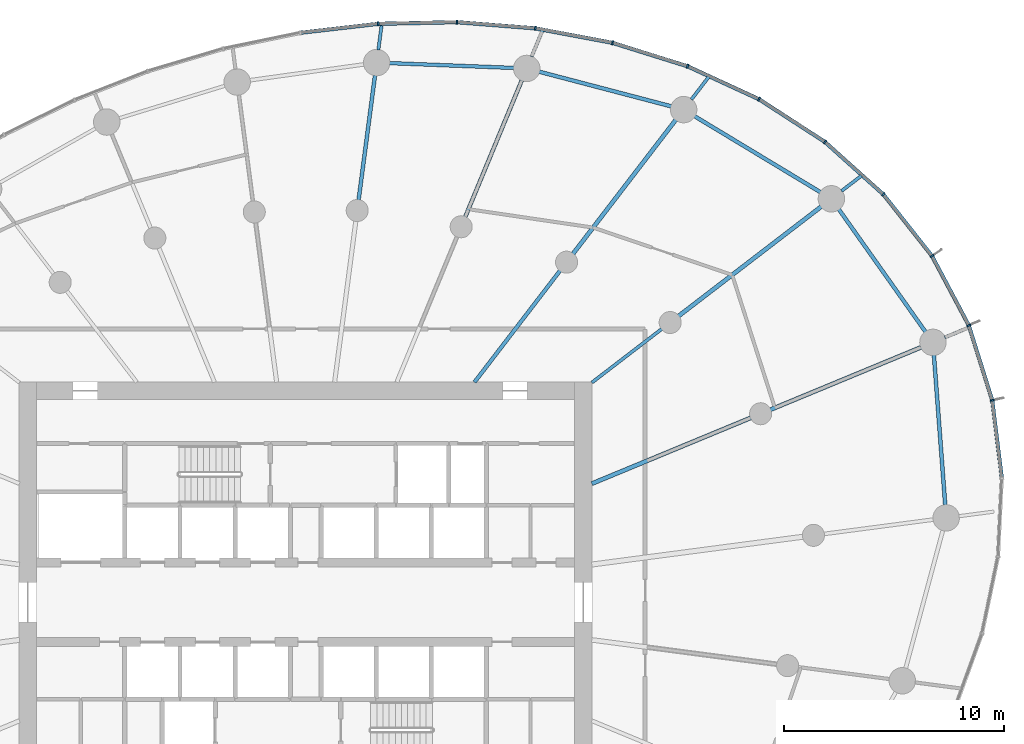
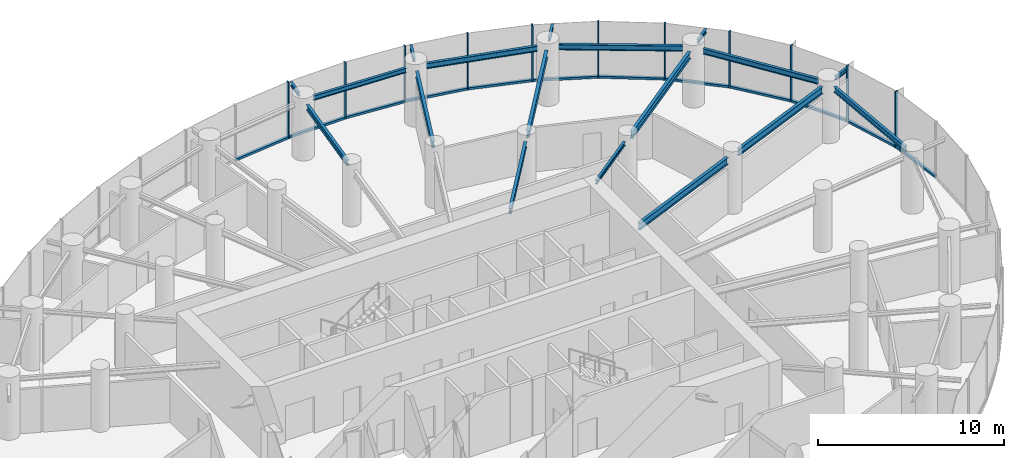
# One storey, part 7 of 17: 23 members, 18 beams, 3 elements without a shape of their own.
"""IFC4 building model written with IfcOpenShell, lengths in metres."""

from ifc_helpers import new_model, si_unit, direction, frame, origin, origin_2d, place, context, subcontext, project, spatial, rectangle, i_section, extrude, source, transform, mapped, material, layer, layer_set, material_profile, profile_set, type_object, element, aggregate, save


model = new_model("IFC4")

# Units and contexts
model_context = context("Model", 3, precision=1e-05, world=origin(), true_north=direction((0.0, 1.0)))
body_context = subcontext(model_context, "Body", "Model", "MODEL_VIEW")
ifc_project = project(units=[si_unit("LENGTHUNIT", "METRE"), si_unit("AREAUNIT", "SQUARE_METRE"), si_unit("VOLUMEUNIT", "CUBIC_METRE"), si_unit("PLANEANGLEUNIT", "RADIAN"), si_unit("MASSUNIT", "GRAM", prefix="KILO")], contexts=[model_context])

# Site, building, storey
site_placement = place(None, origin())
site = spatial("IfcSite", under=ifc_project, at=site_placement, CompositionType="ELEMENT")
building_placement = place(site_placement, origin())
building = spatial("IfcBuilding", under=site, at=building_placement, Name="Spindrift Exchange Tower", CompositionType="ELEMENT")
storey_placement = place(building_placement, frame((0.0, 0.0, 88.0)))
storey = spatial("IfcBuildingStorey", under=building, at=storey_placement, Name="L20", CompositionType="ELEMENT", Elevation=88.0)

# Beams
ifc_material_1 = material(Name="Steel Grade 300", Category="steel")
ifc_material_profile_1 = material_profile(ifc_material_1, i_section(OverallWidth=0.18994140625, OverallDepth=0.45703125, WebThickness=0.009033203125, FlangeThickness=0.014404296875, FilletRadius=0.013916015625, at=origin_2d()), Name="460UB74.6")
ifc_profile_set_1 = profile_set([ifc_material_profile_1], Name="Steel Grade 300")
beam_type_1 = type_object("IfcBeamType", Name="Floor Beam 460UB74.6 Steel Grade 300", PredefinedType="BEAM", material=ifc_profile_set_1)
shared_shape_1 = source(origin(), body_context, "Body", "SweptSolid", [
    extrude(i_section(OverallWidth=0.18994140625, OverallDepth=0.45703125, WebThickness=0.009033203125, FlangeThickness=0.014404296875, FilletRadius=0.013916015625, at=origin_2d()), origin(), (0.0, 0.0, 1.0), 7.808837890625),
])
beam_1_placement = place(storey_placement, frame((64.9814453125, 53.377197265625, 3.471435546875), z_axis=(0.92387965154, 0.382683145003, 0.0), x_axis=(-0.382683145003, 0.92387965154, 0.0)))
element("IfcBeam", 1, at=beam_1_placement, inside=storey, type_object=beam_type_1, Name="L20 radial beam R02A", PredefinedType="BEAM", context=body_context, shape_type="MappedRepresentation", body=[
    mapped(shared_shape_1, transform((0.0, 0.0, 0.0), scale=1.0)),
])
ifc_material_profile_2 = material_profile(ifc_material_1, i_section(OverallWidth=0.14599609375, OverallDepth=0.251953125, WebThickness=0.006103515625, FlangeThickness=0.008544921875, FilletRadius=0.011962890625, at=origin_2d()), Name="250UB31.4")
ifc_profile_set_2 = profile_set([ifc_material_profile_2], Name="Steel Grade 300")
beam_type_2 = type_object("IfcBeamType", Name="Floor Beam 250UB31.4 Steel Grade 300", PredefinedType="BEAM", material=ifc_profile_set_2)
shared_shape_2 = source(origin(), body_context, "Body", "SweptSolid", [
    extrude(i_section(OverallWidth=0.14599609375, OverallDepth=0.251953125, WebThickness=0.006103515625, FlangeThickness=0.008544921875, FilletRadius=0.011962890625, at=origin_2d()), origin(), (0.0, 0.0, 1.0), 3.99560546875),
])
beam_2_placement = place(storey_placement, frame((64.984130859375, 57.963134765625, 3.573974609375), z_axis=(0.793352561574, 0.608762443851, 0.0), x_axis=(-0.608762443851, 0.793352561574, 0.0)))
element("IfcBeam", 2, at=beam_2_placement, inside=storey, type_object=beam_type_2, Name="L20 radial beam R03A", PredefinedType="BEAM", context=body_context, shape_type="MappedRepresentation", body=[
    mapped(shared_shape_2, transform((0.0, 0.0, 0.0), scale=1.0)),
])
ifc_material_profile_3 = material_profile(ifc_material_1, i_section(OverallWidth=0.172119140625, OverallDepth=0.35888671875, WebThickness=0.008056640625, FlangeThickness=0.012939453125, FilletRadius=0.013916015625, at=origin_2d()), Name="360UB56.7")
ifc_profile_set_3 = profile_set([ifc_material_profile_3], Name="Steel Grade 300")
beam_type_3 = type_object("IfcBeamType", Name="Floor Beam 360UB56.7 Steel Grade 300", PredefinedType="BEAM", material=ifc_profile_set_3)
shared_shape_3 = source(origin(), body_context, "Body", "SweptSolid", [
    extrude(i_section(OverallWidth=0.172119140625, OverallDepth=0.35888671875, WebThickness=0.008056640625, FlangeThickness=0.012939453125, FilletRadius=0.013916015625, at=origin_2d()), origin(), (0.0, 0.0, 1.0), 6.37646484375),
])
beam_3_placement = place(storey_placement, frame((59.6611328125, 57.984130859375, 3.5205078125), z_axis=(0.608766669952, 0.793349318747, 0.0), x_axis=(-0.793349318747, 0.608766669952, 0.0)))
element("IfcBeam", 3, at=beam_3_placement, inside=storey, type_object=beam_type_3, Name="L20 radial beam R04A", PredefinedType="BEAM", context=body_context, shape_type="MappedRepresentation", body=[
    mapped(shared_shape_3, transform((0.0, 0.0, 0.0), scale=1.0)),
])
shared_shape_4 = source(origin(), body_context, "Body", "SweptSolid", [
    extrude(i_section(OverallWidth=0.18994140625, OverallDepth=0.45703125, WebThickness=0.009033203125, FlangeThickness=0.014404296875, FilletRadius=0.013916015625, at=origin_2d()), origin(), (0.0, 0.0, 1.0), 7.400146484375),
])
beam_4_placement = place(storey_placement, frame((73.082763671875, 56.73291015625, 3.471435546875), z_axis=(0.923886957755, 0.382665505749, 0.0), x_axis=(-0.382665505749, 0.923886957755, 0.0)))
element("IfcBeam", 4, at=beam_4_placement, inside=storey, type_object=beam_type_1, Name="L20 radial beam R02B", PredefinedType="BEAM", context=body_context, shape_type="MappedRepresentation", body=[
    mapped(shared_shape_4, transform((0.0, 0.0, 0.0), scale=1.0)),
])
shared_shape_5 = source(origin(), body_context, "Body", "SweptSolid", [
    extrude(i_section(OverallWidth=0.18994140625, OverallDepth=0.45703125, WebThickness=0.009033203125, FlangeThickness=0.014404296875, FilletRadius=0.013916015625, at=origin_2d()), origin(), (0.0, 0.0, 1.0), 8.158447265625),
])
beam_5_placement = place(storey_placement, frame((68.91552734375, 60.979736328125, 3.471435546875), z_axis=(0.793358732539, 0.608754401631, 0.0), x_axis=(-0.608754401631, 0.793358732539, 0.0)))
element("IfcBeam", 5, at=beam_5_placement, inside=storey, type_object=beam_type_1, Name="L20 radial beam R03B", PredefinedType="BEAM", context=body_context, shape_type="MappedRepresentation", body=[
    mapped(shared_shape_5, transform((0.0, 0.0, 0.0), scale=1.0)),
])
shared_shape_6 = source(origin(), body_context, "Body", "SweptSolid", [
    extrude(i_section(OverallWidth=0.18994140625, OverallDepth=0.45703125, WebThickness=0.009033203125, FlangeThickness=0.014404296875, FilletRadius=0.013916015625, at=origin_2d()), origin(), (0.0, 0.0, 1.0), 7.663818359375),
])
beam_6_placement = place(storey_placement, frame((64.127197265625, 63.8046875, 3.471435546875), z_axis=(0.608771227503, 0.793345821546, 0.0), x_axis=(-0.793345821546, 0.608771227503, 0.0)))
element("IfcBeam", 6, at=beam_6_placement, inside=storey, type_object=beam_type_1, Name="L20 radial beam R04B", PredefinedType="BEAM", context=body_context, shape_type="MappedRepresentation", body=[
    mapped(shared_shape_6, transform((0.0, 0.0, 0.0), scale=1.0)),
])
ifc_material_profile_4 = material_profile(ifc_material_1, i_section(OverallWidth=0.177978515625, OverallDepth=0.406005859375, WebThickness=0.0078125, FlangeThickness=0.0126953125, FilletRadius=0.013916015625, at=origin_2d()), Name="410UB59.7")
ifc_profile_set_4 = profile_set([ifc_material_profile_4], Name="Steel Grade 300")
beam_type_4 = type_object("IfcBeamType", Name="Floor Beam 410UB59.7 Steel Grade 300", PredefinedType="BEAM", material=ifc_profile_set_4)
shared_shape_7 = source(origin(), body_context, "Body", "SweptSolid", [
    extrude(i_section(OverallWidth=0.177978515625, OverallDepth=0.406005859375, WebThickness=0.0078125, FlangeThickness=0.0126953125, FilletRadius=0.013916015625, at=origin_2d()), origin(), (0.0, 0.0, 1.0), 6.71240234375),
])
beam_7_placement = place(storey_placement, frame((59.23828125, 65.474853515625, 3.4970703125), z_axis=(0.382669812754, 0.923885173821, 0.0), x_axis=(-0.923885173821, 0.382669812754, 0.0)))
element("IfcBeam", 7, at=beam_7_placement, inside=storey, type_object=beam_type_4, Name="L20 radial beam R05B", PredefinedType="BEAM", context=body_context, shape_type="MappedRepresentation", body=[
    mapped(shared_shape_7, transform((0.0, 0.0, 0.0), scale=1.0)),
])
shared_shape_8 = source(origin(), body_context, "Body", "SweptSolid", [
    extrude(i_section(OverallWidth=0.172119140625, OverallDepth=0.35888671875, WebThickness=0.008056640625, FlangeThickness=0.012939453125, FilletRadius=0.013916015625, at=origin_2d()), origin(), (0.0, 0.0, 1.0), 5.70751953125),
])
beam_8_placement = place(storey_placement, frame((54.40185546875, 66.2431640625, 3.5205078125), z_axis=(0.130507624881, 0.991447305634, 0.0), x_axis=(-0.991447305634, 0.130507624881, 0.0)))
element("IfcBeam", 8, at=beam_8_placement, inside=storey, type_object=beam_type_3, Name="L20 radial beam R06B", PredefinedType="BEAM", context=body_context, shape_type="MappedRepresentation", body=[
    mapped(shared_shape_8, transform((0.0, 0.0, 0.0), scale=1.0)),
])
ifc_material_profile_5 = material_profile(ifc_material_1, i_section(OverallWidth=0.172119140625, OverallDepth=0.35888671875, WebThickness=0.008056640625, FlangeThickness=0.012939453125, FilletRadius=0.013916015625, at=origin_2d()), Name="360UB56.7")
ifc_profile_set_5 = profile_set([ifc_material_profile_5], Name="Steel Grade 300")
beam_type_5 = type_object("IfcBeamType", Name="Edge Beam 360UB56.7 Steel Grade 300", PredefinedType="SPANDREL", material=ifc_profile_set_5)
shared_shape_9 = source(origin(), body_context, "Body", "SweptSolid", [
    extrude(i_section(OverallWidth=0.172119140625, OverallDepth=0.35888671875, WebThickness=0.008056640625, FlangeThickness=0.012939453125, FilletRadius=0.013916015625, at=origin_2d()), origin(), (0.0, 0.0, 1.0), 6.82373046875),
])
beam_9_placement = place(storey_placement, frame((81.0126953125, 52.40380859375, 3.5205078125), z_axis=(-0.075276463877, 0.997162701863, 0.0), x_axis=(-0.997162701863, -0.075276463877, 0.0)))
element("IfcBeam", 9, at=beam_9_placement, inside=storey, type_object=beam_type_5, Name="L20 edge beam E01", PredefinedType="SPANDREL", context=body_context, shape_type="MappedRepresentation", body=[
    mapped(shared_shape_9, transform((0.0, 0.0, 0.0), scale=1.0)),
])
shared_shape_10 = source(origin(), body_context, "Body", "SweptSolid", [
    extrude(i_section(OverallWidth=0.172119140625, OverallDepth=0.35888671875, WebThickness=0.008056640625, FlangeThickness=0.012939453125, FilletRadius=0.013916015625, at=origin_2d()), origin(), (0.0, 0.0, 1.0), 6.81787109375),
])
beam_10_placement = place(storey_placement, frame((80.12060546875, 60.260009765625, 3.5205078125), z_axis=(-0.577526426198, 0.816371990604, 0.0), x_axis=(-0.816371990604, -0.577526426198, 0.0)))
element("IfcBeam", 10, at=beam_10_placement, inside=storey, type_object=beam_type_5, Name="L20 edge beam E02", PredefinedType="SPANDREL", context=body_context, shape_type="MappedRepresentation", body=[
    mapped(shared_shape_10, transform((0.0, 0.0, 0.0), scale=1.0)),
])
shared_shape_11 = source(origin(), body_context, "Body", "SweptSolid", [
    extrude(i_section(OverallWidth=0.172119140625, OverallDepth=0.35888671875, WebThickness=0.008056640625, FlangeThickness=0.012939453125, FilletRadius=0.013916015625, at=origin_2d()), origin(), (0.0, 0.0, 1.0), 6.668701171875),
])
beam_11_placement = place(storey_placement, frame((75.3515625, 66.59912109375, 3.5205078125), z_axis=(-0.856133207479, 0.516755194508, 0.0), x_axis=(-0.516755194508, -0.856133207479, 0.0)))
element("IfcBeam", 11, at=beam_11_placement, inside=storey, type_object=beam_type_5, Name="L20 edge beam E03", PredefinedType="SPANDREL", context=body_context, shape_type="MappedRepresentation", body=[
    mapped(shared_shape_11, transform((0.0, 0.0, 0.0), scale=1.0)),
])
shared_shape_12 = source(origin(), body_context, "Body", "SweptSolid", [
    extrude(i_section(OverallWidth=0.172119140625, OverallDepth=0.35888671875, WebThickness=0.008056640625, FlangeThickness=0.012939453125, FilletRadius=0.013916015625, at=origin_2d()), origin(), (0.0, 0.0, 1.0), 6.197509765625),
])
beam_12_placement = place(storey_placement, frame((68.584716796875, 70.491943359375, 3.5205078125), z_axis=(-0.967254420813, 0.253808757567, 0.0), x_axis=(-0.253808757567, -0.967254420813, 0.0)))
element("IfcBeam", 12, at=beam_12_placement, inside=storey, type_object=beam_type_5, Name="L20 edge beam E04", PredefinedType="SPANDREL", context=body_context, shape_type="MappedRepresentation", body=[
    mapped(shared_shape_12, transform((0.0, 0.0, 0.0), scale=1.0)),
])
ifc_material_profile_6 = material_profile(ifc_material_1, i_section(OverallWidth=0.1650390625, OverallDepth=0.303955078125, WebThickness=0.006103515625, FlangeThickness=0.01025390625, FilletRadius=0.011474609375, at=origin_2d()), Name="310UB40.4")
ifc_profile_set_6 = profile_set([ifc_material_profile_6], Name="Steel Grade 300")
beam_type_6 = type_object("IfcBeamType", Name="Edge Beam 310UB40.4 Steel Grade 300", PredefinedType="SPANDREL", material=ifc_profile_set_6)
shared_shape_13 = source(origin(), body_context, "Body", "SweptSolid", [
    extrude(i_section(OverallWidth=0.1650390625, OverallDepth=0.303955078125, WebThickness=0.006103515625, FlangeThickness=0.01025390625, FilletRadius=0.011474609375, at=origin_2d()), origin(), (0.0, 0.0, 1.0), 5.65185546875),
])
beam_13_placement = place(storey_placement, frame((61.449462890625, 72.234619140625, 3.548095703125), z_axis=(-0.99924397539, 0.038877726865, 0.0), x_axis=(-0.038877726865, -0.99924397539, 0.0)))
element("IfcBeam", 13, at=beam_13_placement, inside=storey, type_object=beam_type_6, Name="L20 edge beam E05", PredefinedType="SPANDREL", context=body_context, shape_type="MappedRepresentation", body=[
    mapped(shared_shape_13, transform((0.0, 0.0, 0.0), scale=1.0)),
])
ifc_material_profile_7 = material_profile(ifc_material_1, i_section(OverallWidth=0.14599609375, OverallDepth=0.251953125, WebThickness=0.006103515625, FlangeThickness=0.008544921875, FilletRadius=0.011962890625, at=origin_2d()), Name="250UB31.4")
ifc_profile_set_7 = profile_set([ifc_material_profile_7], Name="Steel Grade 300")
beam_type_7 = type_object("IfcBeamType", Name="Cantilever Beam 250UB31.4 Steel Grade 300", PredefinedType="BEAM", material=ifc_profile_set_7)
shared_shape_14 = source(origin(), body_context, "Body", "SweptSolid", [
    extrude(i_section(OverallWidth=0.14599609375, OverallDepth=0.251953125, WebThickness=0.006103515625, FlangeThickness=0.008544921875, FilletRadius=0.011962890625, at=origin_2d()), origin(), (0.0, 0.0, 1.0), 1.110107421875),
])
beam_14_placement = place(storey_placement, frame((55.298095703125, 73.0517578125, 3.573974609375), z_axis=(0.130636560115, 0.991430324915, 0.0), x_axis=(-0.991430324915, 0.130636560115, 0.0)))
element("IfcBeam", 14, at=beam_14_placement, inside=storey, type_object=beam_type_7, Name="L20 cantilever beam R06T", PredefinedType="BEAM", context=body_context, shape_type="MappedRepresentation", body=[
    mapped(shared_shape_14, transform((0.0, 0.0, 0.0), scale=1.0)),
])
shared_shape_15 = source(origin(), body_context, "Body", "SweptSolid", [
    extrude(i_section(OverallWidth=0.14599609375, OverallDepth=0.251953125, WebThickness=0.006103515625, FlangeThickness=0.008544921875, FilletRadius=0.011962890625, at=origin_2d()), origin(), (0.0, 0.0, 1.0), 0.97802734375),
])
beam_15_placement = place(storey_placement, frame((80.9912109375, 60.008544921875, 3.573974609375), z_axis=(0.923879920344, 0.382682496052, 0.0), x_axis=(-0.382682496052, 0.923879920344, 0.0)))
element("IfcBeam", 15, at=beam_15_placement, inside=storey, type_object=beam_type_7, Name="L20 cantilever beam R02T", PredefinedType="BEAM", context=body_context, shape_type="MappedRepresentation", body=[
    mapped(shared_shape_15, transform((0.0, 0.0, 0.0), scale=1.0)),
])
shared_shape_16 = source(origin(), body_context, "Body", "SweptSolid", [
    extrude(i_section(OverallWidth=0.14599609375, OverallDepth=0.251953125, WebThickness=0.006103515625, FlangeThickness=0.008544921875, FilletRadius=0.011962890625, at=origin_2d()), origin(), (0.0, 0.0, 1.0), 1.136962890625),
])
beam_16_placement = place(storey_placement, frame((76.308349609375, 66.652587890625, 3.573974609375), z_axis=(0.793485372694, 0.608589322385, 0.0), x_axis=(-0.608589322385, 0.793485372694, 0.0)))
element("IfcBeam", 16, at=beam_16_placement, inside=storey, type_object=beam_type_7, Name="L20 cantilever beam R03T", PredefinedType="BEAM", context=body_context, shape_type="MappedRepresentation", body=[
    mapped(shared_shape_16, transform((0.0, 0.0, 0.0), scale=1.0)),
])
shared_shape_17 = source(origin(), body_context, "Body", "SweptSolid", [
    extrude(i_section(OverallWidth=0.14599609375, OverallDepth=0.251953125, WebThickness=0.006103515625, FlangeThickness=0.008544921875, FilletRadius=0.011962890625, at=origin_2d()), origin(), (0.0, 0.0, 1.0), 1.337646484375),
])
beam_17_placement = place(storey_placement, frame((69.498779296875, 70.804931640625, 3.573974609375), z_axis=(0.608695898449, 0.793403619358, 0.0), x_axis=(-0.793403619358, 0.608695898449, 0.0)))
element("IfcBeam", 17, at=beam_17_placement, inside=storey, type_object=beam_type_7, Name="L20 cantilever beam R04T", PredefinedType="BEAM", context=body_context, shape_type="MappedRepresentation", body=[
    mapped(shared_shape_17, transform((0.0, 0.0, 0.0), scale=1.0)),
])
shared_shape_18 = source(origin(), body_context, "Body", "SweptSolid", [
    extrude(i_section(OverallWidth=0.14599609375, OverallDepth=0.251953125, WebThickness=0.006103515625, FlangeThickness=0.008544921875, FilletRadius=0.011962890625, at=origin_2d()), origin(), (0.0, 0.0, 1.0), 1.289794921875),
])
beam_18_placement = place(storey_placement, frame((62.2509765625, 72.748046875, 3.573974609375), z_axis=(0.382719556917, 0.923864568404, 0.0), x_axis=(-0.923864568404, 0.382719556917, 0.0)))
element("IfcBeam", 18, at=beam_18_placement, inside=storey, type_object=beam_type_7, Name="L20 cantilever beam R05T", PredefinedType="BEAM", context=body_context, shape_type="MappedRepresentation", body=[
    mapped(shared_shape_18, transform((0.0, 0.0, 0.0), scale=1.0)),
])

# Curtain wall, members
ifc_material_2 = material(Name="Fritted laminated glass with bronze frame", Category="glass")
ifc_layer = layer(ifc_material_2, 0.18994140625)
ifc_layer_set = layer_set([ifc_layer], Name="ZONE 2 BRONZE FRITTED WALL")
curtain_wall_type = type_object("IfcCurtainWallType", Name="ZONE 2 BRONZE FRITTED WALL", PredefinedType="NOTDEFINED", material=ifc_layer_set)
curtain_wall_1_placement = place(storey_placement, origin())
curtain_wall_1 = element("IfcCurtainWall", 19, at=curtain_wall_1_placement, inside=storey, type_object=curtain_wall_type, Name="L20 Zone 2 Bronze Fritted Wall run 1", PredefinedType="NOTDEFINED")
ifc_material_3 = material(Name="Bronze anodised aluminium", Category="aluminium")
ifc_material_profile_8 = material_profile(ifc_material_3, rectangle(XDim=0.074951171875, YDim=0.18994140625, at=origin_2d()), Name="ZONE 2 BRONZE FRITTED WALL MULLION 75X190")
ifc_profile_set_8 = profile_set([ifc_material_profile_8], Name="Bronze anodised aluminium")
member_type_1 = type_object("IfcMemberType", Name="ZONE 2 BRONZE FRITTED WALL MULLION 75X190", PredefinedType="MULLION", material=ifc_profile_set_8)
shared_shape_19 = source(origin(), body_context, "Body", "SweptSolid", [
    extrude(rectangle(XDim=0.074951171875, YDim=0.18994140625, at=origin_2d()), origin(), (0.0, 0.0, 1.0), 3.699951171875),
])
member_1_placement = place(storey_placement, frame((82.08154296875, 60.557861328125, 0.0), z_axis=(0.0, 0.0, 1.0), x_axis=(-0.385231772749, 0.922819853094, 0.0)))
member_1 = element("IfcMember", 20, at=member_1_placement, type_object=member_type_1, Name="L20 mullion CW-2.1", PredefinedType="MULLION", context=body_context, shape_type="MappedRepresentation", body=[
    mapped(shared_shape_19, transform((0.0, 0.0, 0.0), scale=1.0)),
])
member_2_placement = place(storey_placement, frame((80.412353515625, 63.705322265625, 0.0), z_axis=(0.0, 0.0, 1.0), x_axis=(-0.546314301694, 0.837580255119, 0.0)))
member_2 = element("IfcMember", 21, at=member_2_placement, type_object=member_type_1, Name="L20 mullion CW-2.2", PredefinedType="MULLION", context=body_context, shape_type="MappedRepresentation", body=[
    mapped(shared_shape_19, transform((0.0, 0.0, 0.0), scale=1.0)),
])
member_3_placement = place(storey_placement, frame((78.204345703125, 66.501953125, 0.0), z_axis=(0.0, 0.0, 1.0), x_axis=(-0.684333463114, 0.72916919248, 0.0)))
member_3 = element("IfcMember", 22, at=member_3_placement, type_object=member_type_1, Name="L20 mullion CW-2.3", PredefinedType="MULLION", context=body_context, shape_type="MappedRepresentation", body=[
    mapped(shared_shape_19, transform((0.0, 0.0, 0.0), scale=1.0)),
])
member_4_placement = place(storey_placement, frame((75.552978515625, 68.883056640625, 0.0), z_axis=(0.0, 0.0, 1.0), x_axis=(-0.794190156183, 0.60766931453, 0.0)))
member_4 = element("IfcMember", 23, at=member_4_placement, type_object=member_type_1, Name="L20 mullion CW-2.4", PredefinedType="MULLION", context=body_context, shape_type="MappedRepresentation", body=[
    mapped(shared_shape_19, transform((0.0, 0.0, 0.0), scale=1.0)),
])
member_5_placement = place(storey_placement, frame((72.560791015625, 70.820068359375, 0.0), z_axis=(0.0, 0.0, 1.0), x_axis=(-0.876051934231, 0.482216765087, 0.0)))
member_5 = element("IfcMember", 24, at=member_5_placement, type_object=member_type_1, Name="L20 mullion CW-2.5", PredefinedType="MULLION", context=body_context, shape_type="MappedRepresentation", body=[
    mapped(shared_shape_19, transform((0.0, 0.0, 0.0), scale=1.0)),
])
member_6_placement = place(storey_placement, frame((69.322998046875, 72.31201171875, 0.0), z_axis=(0.0, 0.0, 1.0), x_axis=(-0.933283911031, 0.359139445633, 0.0)))
member_6 = element("IfcMember", 25, at=member_6_placement, type_object=member_type_1, Name="L20 mullion CW-2.6", PredefinedType="MULLION", context=body_context, shape_type="MappedRepresentation", body=[
    mapped(shared_shape_19, transform((0.0, 0.0, 0.0), scale=1.0)),
])

curtain_wall_2_placement = place(storey_placement, origin())
curtain_wall_2 = element("IfcCurtainWall", 26, at=curtain_wall_2_placement, inside=storey, type_object=curtain_wall_type, Name="L20 Zone 2 Bronze Fritted Wall run 2", PredefinedType="NOTDEFINED")
member_7_placement = place(storey_placement, frame((65.919921875, 73.37548828125, 0.0), z_axis=(0.0, 0.0, 1.0), x_axis=(-0.970305321576, 0.2418834077, 0.0)))
member_7 = element("IfcMember", 27, at=member_7_placement, type_object=member_type_1, Name="L20 mullion CW-2.7", PredefinedType="MULLION", context=body_context, shape_type="MappedRepresentation", body=[
    mapped(shared_shape_19, transform((0.0, 0.0, 0.0), scale=1.0)),
])
member_8_placement = place(storey_placement, frame((62.415283203125, 74.0341796875, 0.0), z_axis=(0.0, 0.0, 1.0), x_axis=(-0.991282542322, 0.131753259113, 0.0)))
member_8 = element("IfcMember", 28, at=member_8_placement, type_object=member_type_1, Name="L20 mullion CW-2.8", PredefinedType="MULLION", context=body_context, shape_type="MappedRepresentation", body=[
    mapped(shared_shape_19, transform((0.0, 0.0, 0.0), scale=1.0)),
])
member_9_placement = place(storey_placement, frame((58.860107421875, 74.313720703125, 0.0), z_axis=(0.0, 0.0, 1.0), x_axis=(-0.999586220772, 0.028764339787, 0.0)))
member_9 = element("IfcMember", 29, at=member_9_placement, type_object=member_type_1, Name="L20 mullion CW-2.9", PredefinedType="MULLION", context=body_context, shape_type="MappedRepresentation", body=[
    mapped(shared_shape_19, transform((0.0, 0.0, 0.0), scale=1.0)),
])
member_10_placement = place(storey_placement, frame((55.29443359375, 74.239013671875, 0.0), z_axis=(0.0, 0.0, 1.0), x_axis=(-0.997709313501, -0.067647067594, 0.0)))
member_10 = element("IfcMember", 30, at=member_10_placement, type_object=member_type_1, Name="L20 mullion CW-2.10", PredefinedType="MULLION", context=body_context, shape_type="MappedRepresentation", body=[
    mapped(shared_shape_19, transform((0.0, 0.0, 0.0), scale=1.0)),
])

# Curtain wall, member
curtain_wall_3_placement = place(storey_placement, origin())
curtain_wall_3 = element("IfcCurtainWall", 31, at=curtain_wall_3_placement, inside=storey, type_object=curtain_wall_type, Name="L20 Zone 2 Bronze Fritted Wall run 9", PredefinedType="NOTDEFINED")
member_11_placement = place(storey_placement, frame((83.1455078125, 57.15771484375, 0.0), z_axis=(0.0, 0.0, 1.0), x_axis=(-0.21136738153, 0.977406686096, 0.0)))
member_11 = element("IfcMember", 32, at=member_11_placement, type_object=member_type_1, Name="L20 mullion CW-2.51", PredefinedType="MULLION", context=body_context, shape_type="MappedRepresentation", body=[
    mapped(shared_shape_19, transform((0.0, 0.0, 0.0), scale=1.0)),
])

# Member
ifc_material_profile_9 = material_profile(ifc_material_3, rectangle(XDim=0.169921875, YDim=0.139892578125, at=origin_2d()), Name="ZONE 2 BRONZE FRITTED WALL TRANSOM 170X140")
ifc_profile_set_9 = profile_set([ifc_material_profile_9], Name="Bronze anodised aluminium")
member_type_2 = type_object("IfcMemberType", Name="ZONE 2 BRONZE FRITTED WALL TRANSOM 170X140", PredefinedType="USERDEFINED", material=ifc_profile_set_9)
shared_shape_20 = source(origin(), body_context, "Body", "SweptSolid", [
    extrude(rectangle(XDim=0.169921875, YDim=0.139892578125, at=origin_2d()), origin(), (0.0, 0.0, 1.0), 3.4912109375),
])
member_12_placement = place(storey_placement, frame((62.3779296875, 74.037109375, 0.070068359375), z_axis=(-0.996922645471, 0.078391574465, 0.0), x_axis=(-0.078391574465, -0.996922645471, 0.0)))
member_12 = element("IfcMember", 33, at=member_12_placement, type_object=member_type_2, Name="L20 transom CW-2.8", ObjectType="TRANSOM", PredefinedType="USERDEFINED", context=body_context, shape_type="MappedRepresentation", body=[
    mapped(shared_shape_20, transform((0.0, 0.0, 0.0), scale=1.0)),
])

member_13_placement = place(storey_placement, frame((58.822509765625, 74.31298828125, 0.070068359375), z_axis=(-0.999779920651, -0.020978805078, 0.0), x_axis=(0.020978805078, -0.999779920651, 0.0)))
member_13 = element("IfcMember", 34, at=member_13_placement, type_object=member_type_2, Name="L20 transom CW-2.9", ObjectType="TRANSOM", PredefinedType="USERDEFINED", context=body_context, shape_type="MappedRepresentation", body=[
    mapped(shared_shape_20, transform((0.0, 0.0, 0.0), scale=1.0)),
])

shared_shape_21 = source(origin(), body_context, "Body", "SweptSolid", [
    extrude(rectangle(XDim=0.169921875, YDim=0.139892578125, at=origin_2d()), origin(), (0.0, 0.0, 1.0), 3.48828125),
])
member_14_placement = place(storey_placement, frame((80.38916015625, 63.734619140625, 0.070068359375), z_axis=(-0.619680596085, 0.78485410035, 0.0), x_axis=(-0.78485410035, -0.619680596085, 0.0)))
member_14 = element("IfcMember", 35, at=member_14_placement, type_object=member_type_2, Name="L20 transom CW-2.2", ObjectType="TRANSOM", PredefinedType="USERDEFINED", context=body_context, shape_type="MappedRepresentation", body=[
    mapped(shared_shape_21, transform((0.0, 0.0, 0.0), scale=1.0)),
])

shared_shape_22 = source(origin(), body_context, "Body", "SweptSolid", [
    extrude(rectangle(XDim=0.169921875, YDim=0.139892578125, at=origin_2d()), origin(), (0.0, 0.0, 1.0), 3.487548828125),
])
member_15_placement = place(storey_placement, frame((83.134521484375, 57.193603515625, 0.070068359375), z_axis=(-0.298701456586, 0.954346603616, 0.0), x_axis=(-0.954346603616, -0.298701456586, 0.0)))
member_15 = element("IfcMember", 36, at=member_15_placement, type_object=member_type_2, Name="L20 transom CW-2.51", ObjectType="TRANSOM", PredefinedType="USERDEFINED", context=body_context, shape_type="MappedRepresentation", body=[
    mapped(shared_shape_22, transform((0.0, 0.0, 0.0), scale=1.0)),
])

shared_shape_23 = source(origin(), body_context, "Body", "SweptSolid", [
    extrude(rectangle(XDim=0.169921875, YDim=0.139892578125, at=origin_2d()), origin(), (0.0, 0.0, 1.0), 3.48779296875),
])
member_16_placement = place(storey_placement, frame((82.06396484375, 60.5908203125, 0.070068359375), z_axis=(-0.468505113283, 0.88346078511, 0.0), x_axis=(-0.88346078511, -0.468505113283, 0.0)))
member_16 = element("IfcMember", 37, at=member_16_placement, type_object=member_type_2, Name="L20 transom CW-2.1", ObjectType="TRANSOM", PredefinedType="USERDEFINED", context=body_context, shape_type="MappedRepresentation", body=[
    mapped(shared_shape_23, transform((0.0, 0.0, 0.0), scale=1.0)),
])

shared_shape_24 = source(origin(), body_context, "Body", "SweptSolid", [
    extrude(rectangle(XDim=0.169921875, YDim=0.139892578125, at=origin_2d()), origin(), (0.0, 0.0, 1.0), 3.489501953125),
])
member_17_placement = place(storey_placement, frame((75.521484375, 68.9033203125, 0.070068359375), z_axis=(-0.839455632684, 0.543428229626, 0.0), x_axis=(-0.543428229626, -0.839455632684, 0.0)))
member_17 = element("IfcMember", 38, at=member_17_placement, type_object=member_type_2, Name="L20 transom CW-2.4", ObjectType="TRANSOM", PredefinedType="USERDEFINED", context=body_context, shape_type="MappedRepresentation", body=[
    mapped(shared_shape_24, transform((0.0, 0.0, 0.0), scale=1.0)),
])

shared_shape_25 = source(origin(), body_context, "Body", "SweptSolid", [
    extrude(rectangle(XDim=0.169921875, YDim=0.139892578125, at=origin_2d()), origin(), (0.0, 0.0, 1.0), 3.49072265625),
])
member_18_placement = place(storey_placement, frame((69.287353515625, 72.3232421875, 0.070068359375), z_axis=(-0.954493666676, 0.298231185953, 0.0), x_axis=(-0.298231185953, -0.954493666676, 0.0)))
member_18 = element("IfcMember", 39, at=member_18_placement, type_object=member_type_2, Name="L20 transom CW-2.6", ObjectType="TRANSOM", PredefinedType="USERDEFINED", context=body_context, shape_type="MappedRepresentation", body=[
    mapped(shared_shape_25, transform((0.0, 0.0, 0.0), scale=1.0)),
])

shared_shape_26 = source(origin(), body_context, "Body", "SweptSolid", [
    extrude(rectangle(XDim=0.169921875, YDim=0.139892578125, at=origin_2d()), origin(), (0.0, 0.0, 1.0), 3.491455078125),
])
member_19_placement = place(storey_placement, frame((55.25732421875, 74.234619140625, 0.070068359375), z_axis=(-0.993467601841, -0.114114521833, 0.0), x_axis=(0.114114521833, -0.993467601841, 0.0)))
member_19 = element("IfcMember", 40, at=member_19_placement, type_object=member_type_2, Name="L20 transom CW-2.10", ObjectType="TRANSOM", PredefinedType="USERDEFINED", context=body_context, shape_type="MappedRepresentation", body=[
    mapped(shared_shape_26, transform((0.0, 0.0, 0.0), scale=1.0)),
])

shared_shape_27 = source(origin(), body_context, "Body", "SweptSolid", [
    extrude(rectangle(XDim=0.169921875, YDim=0.139892578125, at=origin_2d()), origin(), (0.0, 0.0, 1.0), 3.490966796875),
])
member_20_placement = place(storey_placement, frame((65.883056640625, 73.38232421875, 0.070068359375), z_axis=(-0.982795305145, 0.184698100113, 0.0), x_axis=(-0.184698100113, -0.982795305145, 0.0)))
member_20 = element("IfcMember", 41, at=member_20_placement, type_object=member_type_2, Name="L20 transom CW-2.7", ObjectType="TRANSOM", PredefinedType="USERDEFINED", context=body_context, shape_type="MappedRepresentation", body=[
    mapped(shared_shape_27, transform((0.0, 0.0, 0.0), scale=1.0)),
])

aggregate(curtain_wall_2, [member_7, member_20, member_8, member_12, member_9, member_13, member_10, member_19])

shared_shape_28 = source(origin(), body_context, "Body", "SweptSolid", [
    extrude(rectangle(XDim=0.169921875, YDim=0.139892578125, at=origin_2d()), origin(), (0.0, 0.0, 1.0), 3.488037109375),
])
member_21_placement = place(storey_placement, frame((83.576904296875, 53.658447265625, 0.070068359375), z_axis=(-0.122346131041, 0.992487493231, 0.0), x_axis=(-0.992487493231, -0.122346131041, 0.0)))
member_21 = element("IfcMember", 42, at=member_21_placement, type_object=member_type_2, Name="L20 transom CW-2.50", ObjectType="TRANSOM", PredefinedType="USERDEFINED", context=body_context, shape_type="MappedRepresentation", body=[
    mapped(shared_shape_28, transform((0.0, 0.0, 0.0), scale=1.0)),
])

aggregate(curtain_wall_3, [member_21, member_11, member_15])

shared_shape_29 = source(origin(), body_context, "Body", "SweptSolid", [
    extrude(rectangle(XDim=0.169921875, YDim=0.139892578125, at=origin_2d()), origin(), (0.0, 0.0, 1.0), 3.48876953125),
])
member_22_placement = place(storey_placement, frame((78.176513671875, 66.52685546875, 0.070068359375), z_axis=(-0.744017472653, 0.668160160731, 0.0), x_axis=(-0.668160160731, -0.744017472653, 0.0)))
member_22 = element("IfcMember", 43, at=member_22_placement, type_object=member_type_2, Name="L20 transom CW-2.3", ObjectType="TRANSOM", PredefinedType="USERDEFINED", context=body_context, shape_type="MappedRepresentation", body=[
    mapped(shared_shape_29, transform((0.0, 0.0, 0.0), scale=1.0)),
])

shared_shape_30 = source(origin(), body_context, "Body", "SweptSolid", [
    extrude(rectangle(XDim=0.169921875, YDim=0.139892578125, at=origin_2d()), origin(), (0.0, 0.0, 1.0), 3.489990234375),
])
member_23_placement = place(storey_placement, frame((72.52685546875, 70.835693359375, 0.070068359375), z_axis=(-0.908202873047, 0.418530215623, 0.0), x_axis=(-0.418530215623, -0.908202873047, 0.0)))
member_23 = element("IfcMember", 44, at=member_23_placement, type_object=member_type_2, Name="L20 transom CW-2.5", ObjectType="TRANSOM", PredefinedType="USERDEFINED", context=body_context, shape_type="MappedRepresentation", body=[
    mapped(shared_shape_30, transform((0.0, 0.0, 0.0), scale=1.0)),
])

aggregate(curtain_wall_1, [member_1, member_16, member_2, member_14, member_3, member_22, member_4, member_17, member_5, member_23, member_6, member_18])

save(model, "model.ifc")
